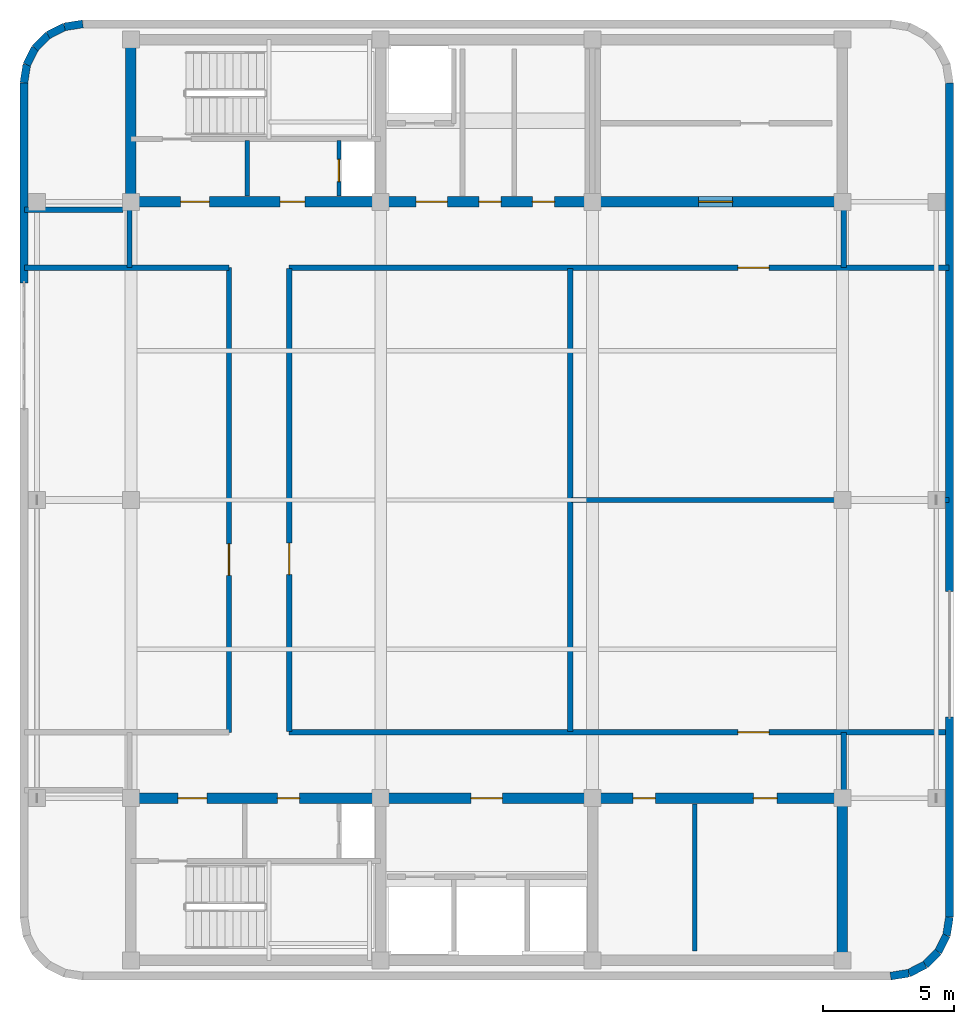
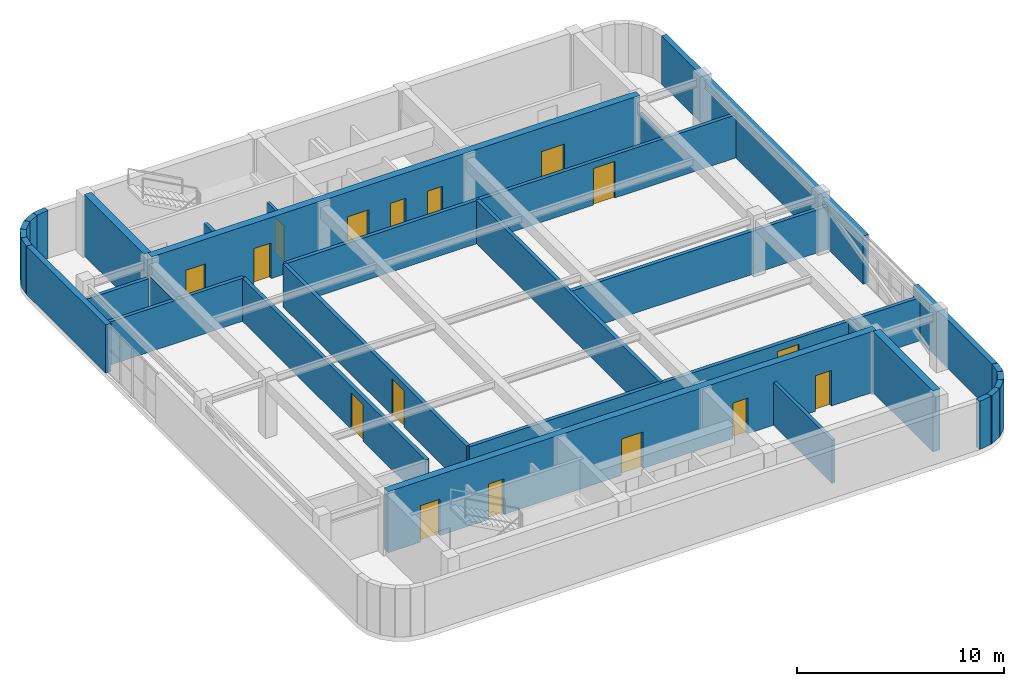
# One storey, part 5 of 9: 31 walls, 16 doors, 16 openings.
"""IFC4 building model written with IfcOpenShell, lengths in metres."""

from ifc_helpers import new_model, si_unit, direction, frame, frame_2d, origin, place, context, subcontext, project, spatial, rectangle, extrude, material, layer, layer_set, type_object, element, fill, save


model = new_model("IFC4")

# Units and contexts
model_context = context("Model", 3, precision=1e-05, world=origin(), true_north=direction((0.0, 1.0)))
body_context = subcontext(model_context, "Body", "Model", "MODEL_VIEW")
ifc_project = project(units=[si_unit("LENGTHUNIT", "METRE"), si_unit("AREAUNIT", "SQUARE_METRE"), si_unit("VOLUMEUNIT", "CUBIC_METRE"), si_unit("PLANEANGLEUNIT", "RADIAN"), si_unit("MASSUNIT", "GRAM", prefix="KILO")], contexts=[model_context])

# Site, building, storey
site_placement = place(None, origin())
site = spatial("IfcSite", under=ifc_project, at=site_placement, CompositionType="ELEMENT")
building_placement = place(site_placement, origin())
building = spatial("IfcBuilding", under=site, at=building_placement, Name="Svetorya Sky Lyceum", CompositionType="ELEMENT")
storey_placement = place(building_placement, frame((0.0, 0.0, 312.800048828125)))
storey = spatial("IfcBuildingStorey", under=building, at=storey_placement, Name="C04", CompositionType="ELEMENT", Elevation=312.800048828125)

# Wall
ifc_material_1 = material(Name="Concrete C40/50", Category="concrete")
ifc_layer_1 = layer(ifc_material_1, 0.39990234375)
ifc_layer_set_1 = layer_set([ifc_layer_1], Name="Concrete C40/50")
wall_type_1 = type_object("IfcWallType", Name="WL-CORE-400", PredefinedType="SHEAR", material=ifc_layer_set_1)
wall_1_placement = place(storey_placement, frame((52.800048828125, 10.800048828125, 0.0), z_axis=(0.0, 0.0, 1.0), x_axis=(0.0, 1.0, 0.0)))
element("IfcWall", 1, at=wall_1_placement, inside=storey, type_object=wall_type_1, Name="C04 SC East Core Shear Wall", PredefinedType="SHEAR", context=body_context, shape_type="SweptSolid", body=[
    extrude(rectangle(XDim=5.800048828125, YDim=0.39990234375, at=frame_2d((2.89990234375, 0.0))), origin(), (0.0, 0.0, 1.0), 3.599853515625),
])

# Wall, openings, doors
wall_2_placement = place(storey_placement, frame((25.60009765625, 16.800048828125, 0.0), z_axis=(0.0, 0.0, 1.0), x_axis=(1.0, 0.0, 0.0)))
wall_2 = element("IfcWall", 2, at=wall_2_placement, inside=storey, type_object=wall_type_1, Name="C04 SC Inner Core Shear Wall", PredefinedType="SHEAR", context=body_context, shape_type="SweptSolid", body=[
    extrude(rectangle(XDim=27.199951171875, YDim=0.39990234375, at=frame_2d((13.60009765625, 0.0))), origin(), (0.0, 0.0, 1.0), 3.599853515625),
])
opening_1_placement = place(wall_2_placement, frame((1.800048828125, 0.0, 0.0)))
opening_1 = element("IfcOpeningElement", 3, at=opening_1_placement, cuts=wall_2, Name="Opening D-ST1", PredefinedType="OPENING", context=body_context, shape_type="SweptSolid", body=[
    extrude(rectangle(XDim=1.10009765625, YDim=2.14990234375, at=frame_2d((0.550048828125, 1.074951171875))), frame((0.0, 0.2099609375, 0.0), z_axis=(0.0, -1.0, 0.0), x_axis=(1.0, 0.0, 0.0)), (0.0, 0.0, 1.0), 0.419921875),
])
opening_2_placement = place(wall_2_placement, frame((5.60009765625, 0.0, 0.0)))
opening_2 = element("IfcOpeningElement", 4, at=opening_2_placement, cuts=wall_2, Name="Opening D-CWC1", PredefinedType="OPENING", context=body_context, shape_type="SweptSolid", body=[
    extrude(rectangle(XDim=0.85009765625, YDim=2.10009765625, at=frame_2d((0.425048828125, 1.050048828125))), frame((0.0, 0.2099609375, 0.0), z_axis=(0.0, -1.0, 0.0), x_axis=(1.0, 0.0, 0.0)), (0.0, 0.0, 1.0), 0.419921875),
])
opening_3_placement = place(wall_2_placement, frame((13.0, 0.0, 0.0)))
opening_3 = element("IfcOpeningElement", 5, at=opening_3_placement, cuts=wall_2, Name="Opening D-FL1", PredefinedType="OPENING", context=body_context, shape_type="SweptSolid", body=[
    extrude(rectangle(XDim=1.199951171875, YDim=2.14990234375, at=frame_2d((0.60009765625, 1.074951171875))), frame((0.0, 0.2099609375, 0.0), z_axis=(0.0, -1.0, 0.0), x_axis=(1.0, 0.0, 0.0)), (0.0, 0.0, 1.0), 0.419921875),
])
opening_4_placement = place(wall_2_placement, frame((19.199951171875, 0.0, 0.0)))
opening_4 = element("IfcOpeningElement", 6, at=opening_4_placement, cuts=wall_2, Name="Opening D-CWC1", PredefinedType="OPENING", context=body_context, shape_type="SweptSolid", body=[
    extrude(rectangle(XDim=0.85009765625, YDim=2.10009765625, at=frame_2d((0.425048828125, 1.050048828125))), frame((0.0, 0.2099609375, 0.0), z_axis=(0.0, -1.0, 0.0), x_axis=(1.0, 0.0, 0.0)), (0.0, 0.0, 1.0), 0.419921875),
])
opening_5_placement = place(wall_2_placement, frame((23.800048828125, 0.0, 0.0)))
opening_5 = element("IfcOpeningElement", 7, at=opening_5_placement, cuts=wall_2, Name="Opening D-RM1", PredefinedType="OPENING", context=body_context, shape_type="SweptSolid", body=[
    extrude(rectangle(XDim=0.89990234375, YDim=2.10009765625, at=frame_2d((0.449951171875, 1.050048828125))), frame((0.0, 0.2099609375, 0.0), z_axis=(0.0, -1.0, 0.0), x_axis=(1.0, 0.0, 0.0)), (0.0, 0.0, 1.0), 0.419921875),
])
ifc_material_2 = material(Name="Fire-rated galvanized steel core service closet door", Category="steel")
door_type_1 = type_object("IfcDoorType", Name="DR-CWET-850", OperationType="SINGLE_SWING_LEFT", PredefinedType="DOOR", material=ifc_material_2)
door_1_placement = place(opening_2_placement, origin())
door_1 = element("IfcDoor", 8, at=door_1_placement, inside=storey, type_object=door_type_1, Name="C04 South Hydrant Room Door", OperationType="SINGLE_SWING_LEFT", OverallHeight=2.10009765625, OverallWidth=0.85009765625, PredefinedType="DOOR", context=body_context, shape_type="SweptSolid", body=[
    extrude(rectangle(XDim=0.85009765625, YDim=2.10009765625, at=frame_2d((0.425048828125, 1.050048828125))), frame((0.0, 0.02490234375, 0.0), z_axis=(0.0, -1.0, 0.0), x_axis=(1.0, 0.0, 0.0)), (0.0, 0.0, 1.0), 0.050048828125),
])
fill(opening_2, door_1)
door_2_placement = place(opening_4_placement, origin())
door_2 = element("IfcDoor", 9, at=door_2_placement, inside=storey, type_object=door_type_1, Name="C04 Laundry Door", OperationType="SINGLE_SWING_RIGHT", OverallHeight=2.10009765625, OverallWidth=0.85009765625, PredefinedType="DOOR", context=body_context, shape_type="SweptSolid", body=[
    extrude(rectangle(XDim=0.85009765625, YDim=2.10009765625, at=frame_2d((0.425048828125, 1.050048828125))), frame((0.0, 0.02490234375, 0.0), z_axis=(0.0, -1.0, 0.0), x_axis=(1.0, 0.0, 0.0)), (0.0, 0.0, 1.0), 0.050048828125),
])
fill(opening_4, door_2)
ifc_material_3 = material(Name="Powder-coated insulated galvanized stair fire door")
door_type_2 = type_object("IfcDoorType", Name="DR-FIRE-1100", OperationType="SINGLE_SWING_LEFT", PredefinedType="DOOR", material=ifc_material_3)
door_3_placement = place(opening_1_placement, origin())
door_3 = element("IfcDoor", 10, at=door_3_placement, inside=storey, type_object=door_type_2, Name="C04 South Stair Airlock Door", OperationType="SINGLE_SWING_RIGHT", OverallHeight=2.14990234375, OverallWidth=1.10009765625, PredefinedType="DOOR", context=body_context, shape_type="SweptSolid", body=[
    extrude(rectangle(XDim=1.10009765625, YDim=2.14990234375, at=frame_2d((0.550048828125, 1.074951171875))), frame((0.0, 0.02490234375, 0.0), z_axis=(0.0, -1.0, 0.0), x_axis=(1.0, 0.0, 0.0)), (0.0, 0.0, 1.0), 0.050048828125),
])
fill(opening_1, door_3)
ifc_material_4 = material(Name="Powder-coated insulated galvanized fire door")
door_type_3 = type_object("IfcDoorType", Name="DR-FIRE-1200", OperationType="SINGLE_SWING_LEFT", PredefinedType="DOOR", material=ifc_material_4)
door_4_placement = place(opening_3_placement, origin())
door_4 = element("IfcDoor", 11, at=door_4_placement, inside=storey, type_object=door_type_3, Name="C04 South Firefighting Lift Lobby Door", OperationType="SINGLE_SWING_LEFT", OverallHeight=2.14990234375, OverallWidth=1.199951171875, PredefinedType="DOOR", context=body_context, shape_type="SweptSolid", body=[
    extrude(rectangle(XDim=1.199951171875, YDim=2.14990234375, at=frame_2d((0.60009765625, 1.074951171875))), frame((0.0, 0.02490234375, 0.0), z_axis=(0.0, -1.0, 0.0), x_axis=(1.0, 0.0, 0.0)), (0.0, 0.0, 1.0), 0.050048828125),
])
fill(opening_3, door_4)
ifc_material_5 = material(Name="Lacquered birch veneer internal door")
door_type_4 = type_object("IfcDoorType", Name="DR-INT-900", OperationType="SINGLE_SWING_LEFT", PredefinedType="DOOR", material=ifc_material_5)
door_5_placement = place(opening_5_placement, origin())
door_5 = element("IfcDoor", 12, at=door_5_placement, inside=storey, type_object=door_type_4, Name="C04 Pantry Door", OperationType="SINGLE_SWING_LEFT", OverallHeight=2.10009765625, OverallWidth=0.89990234375, PredefinedType="DOOR", context=body_context, shape_type="SweptSolid", body=[
    extrude(rectangle(XDim=0.89990234375, YDim=2.10009765625, at=frame_2d((0.449951171875, 1.050048828125))), frame((0.0, 0.02490234375, 0.0), z_axis=(0.0, -1.0, 0.0), x_axis=(1.0, 0.0, 0.0)), (0.0, 0.0, 1.0), 0.050048828125),
])
fill(opening_5, door_5)

# Wall
wall_3_placement = place(storey_placement, frame((25.60009765625, 39.800048828125, 0.0), z_axis=(0.0, 0.0, 1.0), x_axis=(0.0, 1.0, 0.0)))
element("IfcWall", 13, at=wall_3_placement, inside=storey, type_object=wall_type_1, Name="C04 NC West Core Shear Wall", PredefinedType="SHEAR", context=body_context, shape_type="SweptSolid", body=[
    extrude(rectangle(XDim=5.800048828125, YDim=0.39990234375, at=frame_2d((2.89990234375, 0.0))), origin(), (0.0, 0.0, 1.0), 3.599853515625),
])

# Wall, openings, doors
wall_4_placement = place(storey_placement, frame((52.800048828125, 39.60009765625, 0.0), z_axis=(0.0, 0.0, 1.0), x_axis=(-1.0, 0.0, 0.0)))
wall_4 = element("IfcWall", 14, at=wall_4_placement, inside=storey, type_object=wall_type_1, Name="C04 NC Inner Core Shear Wall", PredefinedType="SHEAR", context=body_context, shape_type="SweptSolid", body=[
    extrude(rectangle(XDim=27.199951171875, YDim=0.39990234375, at=frame_2d((13.60009765625, 0.0))), origin(), (0.0, 0.0, 1.0), 3.599853515625),
])
opening_6_placement = place(wall_4_placement, frame((24.199951171875, 0.0, 0.0)))
opening_6 = element("IfcOpeningElement", 15, at=opening_6_placement, cuts=wall_4, Name="Opening D-ST1", PredefinedType="OPENING", context=body_context, shape_type="SweptSolid", body=[
    extrude(rectangle(XDim=1.10009765625, YDim=2.14990234375, at=frame_2d((0.550048828125, 1.074951171875))), frame((0.0, 0.2099609375, 0.0), z_axis=(0.0, -1.0, 0.0), x_axis=(1.0, 0.0, 0.0)), (0.0, 0.0, 1.0), 0.419921875),
])
opening_7_placement = place(wall_4_placement, frame((20.550048828125, 0.0, 0.0)))
opening_7 = element("IfcOpeningElement", 16, at=opening_7_placement, cuts=wall_4, Name="Opening D-CAC1", PredefinedType="OPENING", context=body_context, shape_type="SweptSolid", body=[
    extrude(rectangle(XDim=0.949951171875, YDim=2.10009765625, at=frame_2d((0.47509765625, 1.050048828125))), frame((0.0, 0.2099609375, 0.0), z_axis=(0.0, -1.0, 0.0), x_axis=(1.0, 0.0, 0.0)), (0.0, 0.0, 1.0), 0.419921875),
])
opening_8_placement = place(wall_4_placement, frame((15.10009765625, 0.0, 0.0)))
opening_8 = element("IfcOpeningElement", 17, at=opening_8_placement, cuts=wall_4, Name="Opening D-FL1", PredefinedType="OPENING", context=body_context, shape_type="SweptSolid", body=[
    extrude(rectangle(XDim=1.199951171875, YDim=2.14990234375, at=frame_2d((0.60009765625, 1.074951171875))), frame((0.0, 0.2099609375, 0.0), z_axis=(0.0, -1.0, 0.0), x_axis=(1.0, 0.0, 0.0)), (0.0, 0.0, 1.0), 0.419921875),
])
opening_9_placement = place(wall_4_placement, frame((13.050048828125, 0.0, 0.0)))
opening_9 = element("IfcOpeningElement", 18, at=opening_9_placement, cuts=wall_4, Name="Opening D-CWC1", PredefinedType="OPENING", context=body_context, shape_type="SweptSolid", body=[
    extrude(rectangle(XDim=0.85009765625, YDim=2.10009765625, at=frame_2d((0.425048828125, 1.050048828125))), frame((0.0, 0.2099609375, 0.0), z_axis=(0.0, -1.0, 0.0), x_axis=(1.0, 0.0, 0.0)), (0.0, 0.0, 1.0), 0.419921875),
])
opening_10_placement = place(wall_4_placement, frame((11.0, 0.0, 0.0)))
opening_10 = element("IfcOpeningElement", 19, at=opening_10_placement, cuts=wall_4, Name="Opening D-CWC1", PredefinedType="OPENING", context=body_context, shape_type="SweptSolid", body=[
    extrude(rectangle(XDim=0.85009765625, YDim=2.10009765625, at=frame_2d((0.425048828125, 1.050048828125))), frame((0.0, 0.2099609375, 0.0), z_axis=(0.0, -1.0, 0.0), x_axis=(1.0, 0.0, 0.0)), (0.0, 0.0, 1.0), 0.419921875),
])
opening_11_placement = place(wall_4_placement, frame((4.199951171875, 0.0, 0.0)))
opening_11 = element("IfcOpeningElement", 20, at=opening_11_placement, cuts=wall_4, Name="Opening D-LB1", PredefinedType="OPENING", context=body_context, shape_type="SweptSolid", body=[
    extrude(rectangle(XDim=1.300048828125, YDim=2.199951171875, at=frame_2d((0.64990234375, 1.10009765625))), frame((0.0, 0.2099609375, 0.0), z_axis=(0.0, -1.0, 0.0), x_axis=(1.0, 0.0, 0.0)), (0.0, 0.0, 1.0), 0.419921875),
])
ifc_material_6 = material(Name="Fire-rated galvanized steel core accessible WC door", Category="steel")
door_type_5 = type_object("IfcDoorType", Name="DR-CACC-950", OperationType="SINGLE_SWING_LEFT", PredefinedType="DOOR", material=ifc_material_6)
door_6_placement = place(opening_7_placement, origin())
door_6 = element("IfcDoor", 21, at=door_6_placement, inside=storey, type_object=door_type_5, Name="C04 North Core Accessible WC Door", OperationType="SINGLE_SWING_RIGHT", OverallHeight=2.10009765625, OverallWidth=0.949951171875, PredefinedType="DOOR", context=body_context, shape_type="SweptSolid", body=[
    extrude(rectangle(XDim=0.949951171875, YDim=2.10009765625, at=frame_2d((0.47509765625, 1.050048828125))), frame((0.0, 0.02490234375, 0.0), z_axis=(0.0, -1.0, 0.0), x_axis=(1.0, 0.0, 0.0)), (0.0, 0.0, 1.0), 0.050048828125),
])
fill(opening_7, door_6)
door_7_placement = place(opening_9_placement, origin())
door_7 = element("IfcDoor", 22, at=door_7_placement, inside=storey, type_object=door_type_1, Name="C04 Upper Linen Door", OperationType="SINGLE_SWING_LEFT", OverallHeight=2.10009765625, OverallWidth=0.85009765625, PredefinedType="DOOR", context=body_context, shape_type="SweptSolid", body=[
    extrude(rectangle(XDim=0.85009765625, YDim=2.10009765625, at=frame_2d((0.425048828125, 1.050048828125))), frame((0.0, 0.02490234375, 0.0), z_axis=(0.0, -1.0, 0.0), x_axis=(1.0, 0.0, 0.0)), (0.0, 0.0, 1.0), 0.050048828125),
])
fill(opening_9, door_7)
door_8_placement = place(opening_10_placement, origin())
door_8 = element("IfcDoor", 23, at=door_8_placement, inside=storey, type_object=door_type_1, Name="C04 Upper Laundry Door", OperationType="SINGLE_SWING_RIGHT", OverallHeight=2.10009765625, OverallWidth=0.85009765625, PredefinedType="DOOR", context=body_context, shape_type="SweptSolid", body=[
    extrude(rectangle(XDim=0.85009765625, YDim=2.10009765625, at=frame_2d((0.425048828125, 1.050048828125))), frame((0.0, 0.02490234375, 0.0), z_axis=(0.0, -1.0, 0.0), x_axis=(1.0, 0.0, 0.0)), (0.0, 0.0, 1.0), 0.050048828125),
])
fill(opening_10, door_8)
door_9_placement = place(opening_6_placement, origin())
door_9 = element("IfcDoor", 24, at=door_9_placement, inside=storey, type_object=door_type_2, Name="C04 North Stair Airlock Door", OperationType="SINGLE_SWING_LEFT", OverallHeight=2.14990234375, OverallWidth=1.10009765625, PredefinedType="DOOR", context=body_context, shape_type="SweptSolid", body=[
    extrude(rectangle(XDim=1.10009765625, YDim=2.14990234375, at=frame_2d((0.550048828125, 1.074951171875))), frame((0.0, 0.02490234375, 0.0), z_axis=(0.0, -1.0, 0.0), x_axis=(1.0, 0.0, 0.0)), (0.0, 0.0, 1.0), 0.050048828125),
])
fill(opening_6, door_9)
door_10_placement = place(opening_8_placement, origin())
door_10 = element("IfcDoor", 25, at=door_10_placement, inside=storey, type_object=door_type_3, Name="C04 North Firefighting Lift Lobby Door", OperationType="SINGLE_SWING_RIGHT", OverallHeight=2.14990234375, OverallWidth=1.199951171875, PredefinedType="DOOR", context=body_context, shape_type="SweptSolid", body=[
    extrude(rectangle(XDim=1.199951171875, YDim=2.14990234375, at=frame_2d((0.60009765625, 1.074951171875))), frame((0.0, 0.02490234375, 0.0), z_axis=(0.0, -1.0, 0.0), x_axis=(1.0, 0.0, 0.0)), (0.0, 0.0, 1.0), 0.050048828125),
])
fill(opening_8, door_10)
ifc_material_7 = material(Name="Glazed fire-rated aluminium lobby door", Category="aluminium")
door_type_6 = type_object("IfcDoorType", Name="DR-LOB-1300", OperationType="SINGLE_SWING_LEFT", PredefinedType="DOOR", material=ifc_material_7)
door_11_placement = place(opening_11_placement, origin())
door_11 = element("IfcDoor", 26, at=door_11_placement, inside=storey, type_object=door_type_6, Name="C04 Crown Access Lobby Door", OperationType="SINGLE_SWING_LEFT", OverallHeight=2.199951171875, OverallWidth=1.300048828125, PredefinedType="DOOR", context=body_context, shape_type="SweptSolid", body=[
    extrude(rectangle(XDim=1.300048828125, YDim=2.199951171875, at=frame_2d((0.64990234375, 1.10009765625))), frame((0.0, 0.02490234375, 0.0), z_axis=(0.0, -1.0, 0.0), x_axis=(1.0, 0.0, 0.0)), (0.0, 0.0, 1.0), 0.050048828125),
])
fill(opening_11, door_11)

# Walls
ifc_material_8 = material(Name="Putilovo limestone rainscreen on autoclaved cellular masonry", Category="masonry")
ifc_layer_2 = layer(ifc_material_8, 0.300048828125)
ifc_layer_set_2 = layer_set([ifc_layer_2], Name="Putilovo limestone rainscreen on autoclaved cellular masonry")
wall_type_2 = type_object("IfcWallType", Name="WL-EXT-300", PredefinedType="SOLIDWALL", material=ifc_layer_set_2)
for number, where, z_axis, x_axis, name in (
    (27, (54.639892578125, 10.0, 0.0), (0.0, 0.0, 1.0), (0.987692567255, 0.156407776626, 0.0), "C04 Limestone Exterior Wall 7M"),
    (28, (55.335205078125, 10.110107421875, 0.0), (0.0, 0.0, 1.0), (0.891002438725, 0.453998517824, 0.0), "C04 Limestone Exterior Wall 8M"),
):
    element("IfcWall", number, at=place(storey_placement, frame(where, z_axis=z_axis, x_axis=x_axis)), inside=storey, type_object=wall_type_2, Name=name, PredefinedType="SOLIDWALL", context=body_context, shape_type="SweptSolid", body=[
        extrude(rectangle(XDim=0.703857421875, YDim=0.300048828125, at=frame_2d((0.35205078125, 0.0))), origin(), (0.0, 0.0, 1.0), 2.83984375),
    ])
wall_5_placement = place(storey_placement, frame((55.96240234375, 10.4296875, 0.0), z_axis=(0.0, 0.0, 1.0), x_axis=(0.707106781187, 0.707106781187, 0.0)))
element("IfcWall", 29, at=wall_5_placement, inside=storey, type_object=wall_type_2, Name="C04 Limestone Exterior Wall 9M", PredefinedType="SOLIDWALL", context=body_context, shape_type="SweptSolid", body=[
    extrude(rectangle(XDim=0.7041015625, YDim=0.300048828125, at=frame_2d((0.35205078125, 0.0))), origin(), (0.0, 0.0, 1.0), 2.83984375),
])
for number, where, z_axis, x_axis, name in (
    (30, (56.460205078125, 10.927490234375, 0.0), (0.0, 0.0, 1.0), (0.453998517824, 0.891002438725, 0.0), "C04 Limestone Exterior Wall 10M"),
    (31, (56.77978515625, 11.5546875, 0.0), (0.0, 0.0, 1.0), (0.156407776626, 0.987692567255, 0.0), "C04 Limestone Exterior Wall 11M"),
):
    element("IfcWall", number, at=place(storey_placement, frame(where, z_axis=z_axis, x_axis=x_axis)), inside=storey, type_object=wall_type_2, Name=name, PredefinedType="SOLIDWALL", context=body_context, shape_type="SweptSolid", body=[
        extrude(rectangle(XDim=0.703857421875, YDim=0.300048828125, at=frame_2d((0.35205078125, 0.0))), origin(), (0.0, 0.0, 1.0), 2.83984375),
    ])
wall_6_placement = place(storey_placement, frame((56.889892578125, 12.25, 0.0), z_axis=(0.0, 0.0, 1.0), x_axis=(0.0, 1.0, 0.0)))
element("IfcWall", 32, at=wall_6_placement, inside=storey, type_object=wall_type_2, Name="C04 Limestone Exterior Wall 12A", PredefinedType="SOLIDWALL", context=body_context, shape_type="SweptSolid", body=[
    extrude(rectangle(XDim=7.64990234375, YDim=0.300048828125, at=frame_2d((3.824951171875, 0.0))), origin(), (0.0, 0.0, 1.0), 2.83984375),
])
wall_7_placement = place(storey_placement, frame((56.889892578125, 24.699951171875, 0.0), z_axis=(0.0, 0.0, 1.0), x_axis=(0.0, 1.0, 0.0)))
element("IfcWall", 33, at=wall_7_placement, inside=storey, type_object=wall_type_2, Name="C04 Limestone Exterior Wall 12B", PredefinedType="SOLIDWALL", context=body_context, shape_type="SweptSolid", body=[
    extrude(rectangle(XDim=19.449951171875, YDim=0.300048828125, at=frame_2d((9.72509765625, 0.0))), origin(), (0.0, 0.0, 1.0), 2.83984375),
])
for number, where, z_axis, x_axis, name in (
    (34, (23.760009765625, 46.39990234375, 0.0), (0.0, 0.0, 1.0), (-0.987692567255, -0.156407776626, 0.0), "C04 Limestone Exterior Wall 19M"),
    (35, (23.064697265625, 46.289794921875, 0.0), (0.0, 0.0, 1.0), (-0.891002438725, -0.453998517824, 0.0), "C04 Limestone Exterior Wall 20M"),
):
    element("IfcWall", number, at=place(storey_placement, frame(where, z_axis=z_axis, x_axis=x_axis)), inside=storey, type_object=wall_type_2, Name=name, PredefinedType="SOLIDWALL", context=body_context, shape_type="SweptSolid", body=[
        extrude(rectangle(XDim=0.703857421875, YDim=0.300048828125, at=frame_2d((0.35205078125, 0.0))), origin(), (0.0, 0.0, 1.0), 2.83984375),
    ])
wall_8_placement = place(storey_placement, frame((22.4375, 45.97021484375, 0.0), z_axis=(0.0, 0.0, 1.0), x_axis=(-0.707106781187, -0.707106781187, 0.0)))
element("IfcWall", 36, at=wall_8_placement, inside=storey, type_object=wall_type_2, Name="C04 Limestone Exterior Wall 21M", PredefinedType="SOLIDWALL", context=body_context, shape_type="SweptSolid", body=[
    extrude(rectangle(XDim=0.7041015625, YDim=0.300048828125, at=frame_2d((0.35205078125, 0.0))), origin(), (0.0, 0.0, 1.0), 2.83984375),
])
for number, where, z_axis, x_axis, name in (
    (37, (21.939697265625, 45.472412109375, 0.0), (0.0, 0.0, 1.0), (-0.453998517824, -0.891002438725, 0.0), "C04 Limestone Exterior Wall 22M"),
    (38, (21.6201171875, 44.84521484375, 0.0), (0.0, 0.0, 1.0), (-0.156407776626, -0.987692567255, 0.0), "C04 Limestone Exterior Wall 23M"),
):
    element("IfcWall", number, at=place(storey_placement, frame(where, z_axis=z_axis, x_axis=x_axis)), inside=storey, type_object=wall_type_2, Name=name, PredefinedType="SOLIDWALL", context=body_context, shape_type="SweptSolid", body=[
        extrude(rectangle(XDim=0.703857421875, YDim=0.300048828125, at=frame_2d((0.35205078125, 0.0))), origin(), (0.0, 0.0, 1.0), 2.83984375),
    ])
wall_9_placement = place(storey_placement, frame((21.510009765625, 44.14990234375, 0.0), z_axis=(0.0, 0.0, 1.0), x_axis=(0.0, -1.0, 0.0)))
element("IfcWall", 39, at=wall_9_placement, inside=storey, type_object=wall_type_2, Name="C04 Limestone Exterior Wall 24A", PredefinedType="SOLIDWALL", context=body_context, shape_type="SweptSolid", body=[
    extrude(rectangle(XDim=7.64990234375, YDim=0.300048828125, at=frame_2d((3.824951171875, 0.0))), origin(), (0.0, 0.0, 1.0), 2.83984375),
])

# Wall, opening, door
ifc_material_9 = material(Name="Autoclaved cellular masonry blockwork with acoustic render", Category="masonry")
ifc_layer_3 = layer(ifc_material_9, 0.14990234375)
ifc_layer_set_3 = layer_set([ifc_layer_3], Name="Autoclaved cellular masonry blockwork with acoustic render")
wall_type_3 = type_object("IfcWallType", Name="WL-PART-150", PredefinedType="PARTITIONING", material=ifc_layer_set_3)
wall_10_placement = place(storey_placement, frame((33.550048828125, 39.820068359375, 0.0), z_axis=(0.0, 0.0, 1.0), x_axis=(0.0, 1.0, 0.0)))
wall_10 = element("IfcWall", 40, at=wall_10_placement, inside=storey, type_object=wall_type_3, Name="C04 Interior Partition NC-RSRW", PredefinedType="PARTITIONING", context=body_context, shape_type="SweptSolid", body=[
    extrude(rectangle(XDim=2.1298828125, YDim=0.14990234375, at=frame_2d((1.06494140625, 0.0))), origin(), (0.0, 0.0, 1.0), 2.5400390625),
])
opening_12_placement = place(wall_10_placement, frame((0.550048828125, 0.0, 0.0)))
opening_12 = element("IfcOpeningElement", 41, at=opening_12_placement, cuts=wall_10, Name="Opening D-SH1", PredefinedType="OPENING", context=body_context, shape_type="SweptSolid", body=[
    extrude(rectangle(XDim=0.85009765625, YDim=2.050048828125, at=frame_2d((0.425048828125, 1.02490234375))), frame((0.0, 0.0849609375, 0.0), z_axis=(0.0, -1.0, 0.0), x_axis=(1.0, 0.0, 0.0)), (0.0, 0.0, 1.0), 0.169921875),
])
ifc_material_10 = material(Name="Insulated galvanized riser inspection fire door")
door_type_7 = type_object("IfcDoorType", Name="DR-SHFT-850", OperationType="SINGLE_SWING_LEFT", PredefinedType="TRAPDOOR", material=ifc_material_10)
door_12_placement = place(opening_12_placement, origin())
door_12 = element("IfcDoor", 42, at=door_12_placement, inside=storey, type_object=door_type_7, Name="C04 North Riser Access Door", OperationType="SINGLE_SWING_LEFT", OverallHeight=2.050048828125, OverallWidth=0.85009765625, PredefinedType="TRAPDOOR", context=body_context, shape_type="SweptSolid", body=[
    extrude(rectangle(XDim=0.85009765625, YDim=2.050048828125, at=frame_2d((0.425048828125, 1.02490234375))), frame((0.0, 0.02490234375, 0.0), z_axis=(0.0, -1.0, 0.0), x_axis=(1.0, 0.0, 0.0)), (0.0, 0.0, 1.0), 0.050048828125),
])
fill(opening_12, door_12)

# Walls
ifc_material_11 = material(Name="Autoclaved cellular masonry blockwork with fire render", Category="masonry")
ifc_layer_4 = layer(ifc_material_11, 0.175048828125)
ifc_layer_set_4 = layer_set([ifc_layer_4], Name="Autoclaved cellular masonry blockwork with fire render")
wall_type_4 = type_object("IfcWallType", Name="WL-PART-175", PredefinedType="PARTITIONING", material=ifc_layer_set_4)
wall_11_placement = place(storey_placement, frame((47.14990234375, 10.949951171875, 0.0), z_axis=(0.0, 0.0, 1.0), x_axis=(0.0, 1.0, 0.0)))
element("IfcWall", 43, at=wall_11_placement, inside=storey, type_object=wall_type_4, Name="C04 Interior Partition SC-LV7-VA", PredefinedType="PARTITIONING", context=body_context, shape_type="SweptSolid", body=[
    extrude(rectangle(XDim=5.630126953125, YDim=0.175048828125, at=frame_2d((2.81494140625, 0.0))), origin(), (0.0, 0.0, 1.0), 2.5400390625),
])
wall_12_placement = place(storey_placement, frame((30.050048828125, 39.820068359375, 0.0), z_axis=(0.0, 0.0, 1.0), x_axis=(0.0, 1.0, 0.0)))
element("IfcWall", 44, at=wall_12_placement, inside=storey, type_object=wall_type_4, Name="C04 Interior Partition NC-NWD1", PredefinedType="PARTITIONING", context=body_context, shape_type="SweptSolid", body=[
    extrude(rectangle(XDim=2.1298828125, YDim=0.175048828125, at=frame_2d((1.06494140625, 0.0))), origin(), (0.0, 0.0, 1.0), 2.5400390625),
])
ifc_material_12 = material(Name="Autoclaved cellular masonry blockwork with gypsum plaster", Category="masonry")
ifc_layer_5 = layer(ifc_material_12, 0.199951171875)
ifc_layer_set_5 = layer_set([ifc_layer_5], Name="Autoclaved cellular masonry blockwork with gypsum plaster")
wall_type_5 = type_object("IfcWallType", Name="WL-PART-200", PredefinedType="PARTITIONING", material=ifc_layer_set_5)
wall_13_placement = place(storey_placement, frame((21.530029296875, 37.080078125, 0.0), z_axis=(0.0, 0.0, 1.0), x_axis=(1.0, 0.0, 0.0)))
element("IfcWall", 45, at=wall_13_placement, inside=storey, type_object=wall_type_5, Name="C04 Interior Partition PL-NW", PredefinedType="PARTITIONING", context=body_context, shape_type="SweptSolid", body=[
    extrude(rectangle(XDim=7.820068359375, YDim=0.199951171875, at=frame_2d((3.91015625, 0.0))), origin(), (0.0, 0.0, 1.0), 2.5400390625),
])

# Wall, opening, door
wall_14_placement = place(storey_placement, frame((29.35009765625, 19.320068359375, 0.0), z_axis=(0.0, 0.0, 1.0), x_axis=(0.0, 1.0, 0.0)))
wall_14 = element("IfcWall", 46, at=wall_14_placement, inside=storey, type_object=wall_type_5, Name="C04 Interior Partition PL-W1", PredefinedType="PARTITIONING", context=body_context, shape_type="SweptSolid", body=[
    extrude(rectangle(XDim=17.760009765625, YDim=0.199951171875, at=frame_2d((8.8798828125, 0.0))), origin(), (0.0, 0.0, 1.0), 2.5400390625),
])
opening_13_placement = place(wall_14_placement, frame((6.0, 0.0, 0.0)))
opening_13 = element("IfcOpeningElement", 47, at=opening_13_placement, cuts=wall_14, Name="Opening D-FL1", PredefinedType="OPENING", context=body_context, shape_type="SweptSolid", body=[
    extrude(rectangle(XDim=1.199951171875, YDim=2.14990234375, at=frame_2d((0.60009765625, 1.074951171875))), frame((0.0, 0.10986328125, 0.0), z_axis=(0.0, -1.0, 0.0), x_axis=(1.0, 0.0, 0.0)), (0.0, 0.0, 1.0), 0.219970703125),
])
door_13_placement = place(opening_13_placement, origin())
door_13 = element("IfcDoor", 48, at=door_13_placement, inside=storey, type_object=door_type_3, Name="C04 West Plant Door", OperationType="SINGLE_SWING_LEFT", OverallHeight=2.14990234375, OverallWidth=1.199951171875, PredefinedType="DOOR", context=body_context, shape_type="SweptSolid", body=[
    extrude(rectangle(XDim=1.199951171875, YDim=2.14990234375, at=frame_2d((0.60009765625, 1.074951171875))), frame((0.0, 0.02490234375, 0.0), z_axis=(0.0, -1.0, 0.0), x_axis=(1.0, 0.0, 0.0)), (0.0, 0.0, 1.0), 0.050048828125),
])
fill(opening_13, door_13)

wall_15_placement = place(storey_placement, frame((31.64990234375, 19.35009765625, 0.0), z_axis=(0.0, 0.0, 1.0), x_axis=(0.0, 1.0, 0.0)))
wall_15 = element("IfcWall", 49, at=wall_15_placement, inside=storey, type_object=wall_type_5, Name="C04 Interior Partition PL-W2", PredefinedType="PARTITIONING", context=body_context, shape_type="SweptSolid", body=[
    extrude(rectangle(XDim=17.699951171875, YDim=0.199951171875, at=frame_2d((8.85009765625, 0.0))), origin(), (0.0, 0.0, 1.0), 2.5400390625),
])
opening_14_placement = place(wall_15_placement, frame((6.0, 0.0, 0.0)))
opening_14 = element("IfcOpeningElement", 50, at=opening_14_placement, cuts=wall_15, Name="Opening D-FL1", PredefinedType="OPENING", context=body_context, shape_type="SweptSolid", body=[
    extrude(rectangle(XDim=1.199951171875, YDim=2.14990234375, at=frame_2d((0.60009765625, 1.074951171875))), frame((0.0, 0.10986328125, 0.0), z_axis=(0.0, -1.0, 0.0), x_axis=(1.0, 0.0, 0.0)), (0.0, 0.0, 1.0), 0.219970703125),
])
door_14_placement = place(opening_14_placement, origin())
door_14 = element("IfcDoor", 51, at=door_14_placement, inside=storey, type_object=door_type_3, Name="C04 Central Plant Door", OperationType="SINGLE_SWING_RIGHT", OverallHeight=2.14990234375, OverallWidth=1.199951171875, PredefinedType="DOOR", context=body_context, shape_type="SweptSolid", body=[
    extrude(rectangle(XDim=1.199951171875, YDim=2.14990234375, at=frame_2d((0.60009765625, 1.074951171875))), frame((0.0, 0.02490234375, 0.0), z_axis=(0.0, -1.0, 0.0), x_axis=(1.0, 0.0, 0.0)), (0.0, 0.0, 1.0), 0.050048828125),
])
fill(opening_14, door_14)

# Walls
wall_16_placement = place(storey_placement, frame((42.39990234375, 19.35009765625, 0.0), z_axis=(0.0, 0.0, 1.0), x_axis=(0.0, 1.0, 0.0)))
element("IfcWall", 52, at=wall_16_placement, inside=storey, type_object=wall_type_5, Name="C04 Interior Partition PL-W3", PredefinedType="PARTITIONING", context=body_context, shape_type="SweptSolid", body=[
    extrude(rectangle(XDim=17.699951171875, YDim=0.199951171875, at=frame_2d((8.85009765625, 0.0))), origin(), (0.0, 0.0, 1.0), 2.5400390625),
])
wall_17_placement = place(storey_placement, frame((42.449951171875, 28.199951171875, 0.0), z_axis=(0.0, 0.0, 1.0), x_axis=(1.0, 0.0, 0.0)))
element("IfcWall", 53, at=wall_17_placement, inside=storey, type_object=wall_type_5, Name="C04 Interior Partition PL-H3", PredefinedType="PARTITIONING", context=body_context, shape_type="SweptSolid", body=[
    extrude(rectangle(XDim=14.420166015625, YDim=0.199951171875, at=frame_2d((7.2099609375, 0.0))), origin(), (0.0, 0.0, 1.0), 2.5400390625),
])

# Wall, opening, door
wall_18_placement = place(storey_placement, frame((31.64990234375, 19.320068359375, 0.0), z_axis=(0.0, 0.0, 1.0), x_axis=(1.0, 0.0, 0.0)))
wall_18 = element("IfcWall", 54, at=wall_18_placement, inside=storey, type_object=wall_type_5, Name="C04 Interior Partition PL-S", PredefinedType="PARTITIONING", context=body_context, shape_type="SweptSolid", body=[
    extrude(rectangle(XDim=25.22021484375, YDim=0.199951171875, at=frame_2d((12.610107421875, 0.0))), origin(), (0.0, 0.0, 1.0), 2.5400390625),
])
opening_15_placement = place(wall_18_placement, frame((17.14990234375, 0.0, 0.0)))
opening_15 = element("IfcOpeningElement", 55, at=opening_15_placement, cuts=wall_18, Name="Opening D-FL1", PredefinedType="OPENING", context=body_context, shape_type="SweptSolid", body=[
    extrude(rectangle(XDim=1.199951171875, YDim=2.14990234375, at=frame_2d((0.60009765625, 1.074951171875))), frame((0.0, 0.10986328125, 0.0), z_axis=(0.0, -1.0, 0.0), x_axis=(1.0, 0.0, 0.0)), (0.0, 0.0, 1.0), 0.219970703125),
])
door_15_placement = place(opening_15_placement, origin())
door_15 = element("IfcDoor", 56, at=door_15_placement, inside=storey, type_object=door_type_3, Name="C04 South-East Plant Door", OperationType="SINGLE_SWING_LEFT", OverallHeight=2.14990234375, OverallWidth=1.199951171875, PredefinedType="DOOR", context=body_context, shape_type="SweptSolid", body=[
    extrude(rectangle(XDim=1.199951171875, YDim=2.14990234375, at=frame_2d((0.60009765625, 1.074951171875))), frame((0.0, 0.02490234375, 0.0), z_axis=(0.0, -1.0, 0.0), x_axis=(1.0, 0.0, 0.0)), (0.0, 0.0, 1.0), 0.050048828125),
])
fill(opening_15, door_15)

wall_19_placement = place(storey_placement, frame((56.8701171875, 37.080078125, 0.0), z_axis=(0.0, 0.0, 1.0), x_axis=(-1.0, 0.0, 0.0)))
wall_19 = element("IfcWall", 57, at=wall_19_placement, inside=storey, type_object=wall_type_5, Name="C04 Interior Partition PL-N", PredefinedType="PARTITIONING", context=body_context, shape_type="SweptSolid", body=[
    extrude(rectangle(XDim=25.22021484375, YDim=0.199951171875, at=frame_2d((12.610107421875, 0.0))), origin(), (0.0, 0.0, 1.0), 2.5400390625),
])
opening_16_placement = place(wall_19_placement, frame((6.8701171875, 0.0, 0.0)))
opening_16 = element("IfcOpeningElement", 58, at=opening_16_placement, cuts=wall_19, Name="Opening D-FL1", PredefinedType="OPENING", context=body_context, shape_type="SweptSolid", body=[
    extrude(rectangle(XDim=1.199951171875, YDim=2.14990234375, at=frame_2d((0.60009765625, 1.074951171875))), frame((0.0, 0.10986328125, 0.0), z_axis=(0.0, -1.0, 0.0), x_axis=(1.0, 0.0, 0.0)), (0.0, 0.0, 1.0), 0.219970703125),
])
door_16_placement = place(opening_16_placement, origin())
door_16 = element("IfcDoor", 59, at=door_16_placement, inside=storey, type_object=door_type_3, Name="C04 North-East Plant Door", OperationType="SINGLE_SWING_RIGHT", OverallHeight=2.14990234375, OverallWidth=1.199951171875, PredefinedType="DOOR", context=body_context, shape_type="SweptSolid", body=[
    extrude(rectangle(XDim=1.199951171875, YDim=2.14990234375, at=frame_2d((0.60009765625, 1.074951171875))), frame((0.0, 0.02490234375, 0.0), z_axis=(0.0, -1.0, 0.0), x_axis=(1.0, 0.0, 0.0)), (0.0, 0.0, 1.0), 0.050048828125),
])
fill(opening_16, door_16)

# Walls
wall_20_placement = place(storey_placement, frame((52.85009765625, 16.949951171875, 0.0), z_axis=(0.0, 0.0, 1.0), x_axis=(0.0, 1.0, 0.0)))
element("IfcWall", 60, at=wall_20_placement, inside=storey, type_object=wall_type_5, Name="C04 Interior Partition PL-SE-END", PredefinedType="PARTITIONING", context=body_context, shape_type="SweptSolid", body=[
    extrude(rectangle(XDim=2.3701171875, YDim=0.199951171875, at=frame_2d((1.18505859375, 0.0))), origin(), (0.0, 0.0, 1.0), 2.5400390625),
])
for number, where, z_axis, x_axis, name in (
    (61, (52.85009765625, 37.080078125, 0.0), (0.0, 0.0, 1.0), (0.0, 1.0, 0.0), "C04 Interior Partition PL-NE-END"),
    (62, (25.550048828125, 37.080078125, 0.0), (0.0, 0.0, 1.0), (0.0, 1.0, 0.0), "C04 Interior Partition PL-NW-END"),
):
    element("IfcWall", number, at=place(storey_placement, frame(where, z_axis=z_axis, x_axis=x_axis)), inside=storey, type_object=wall_type_5, Name=name, PredefinedType="PARTITIONING", context=body_context, shape_type="SweptSolid", body=[
        extrude(rectangle(XDim=2.369873046875, YDim=0.199951171875, at=frame_2d((1.18505859375, 0.0))), origin(), (0.0, 0.0, 1.0), 2.5400390625),
    ])
wall_21_placement = place(storey_placement, frame((21.530029296875, 39.300048828125, 0.0), z_axis=(0.0, 0.0, 1.0), x_axis=(1.0, 0.0, 0.0)))
element("IfcWall", 63, at=wall_21_placement, inside=storey, type_object=wall_type_5, Name="C04 Interior Partition PL-WN-CAP", PredefinedType="PARTITIONING", context=body_context, shape_type="SweptSolid", body=[
    extrude(rectangle(XDim=3.77001953125, YDim=0.199951171875, at=frame_2d((1.885009765625, 0.0))), origin(), (0.0, 0.0, 1.0), 2.5400390625),
])

save(model, "model.ifc")
